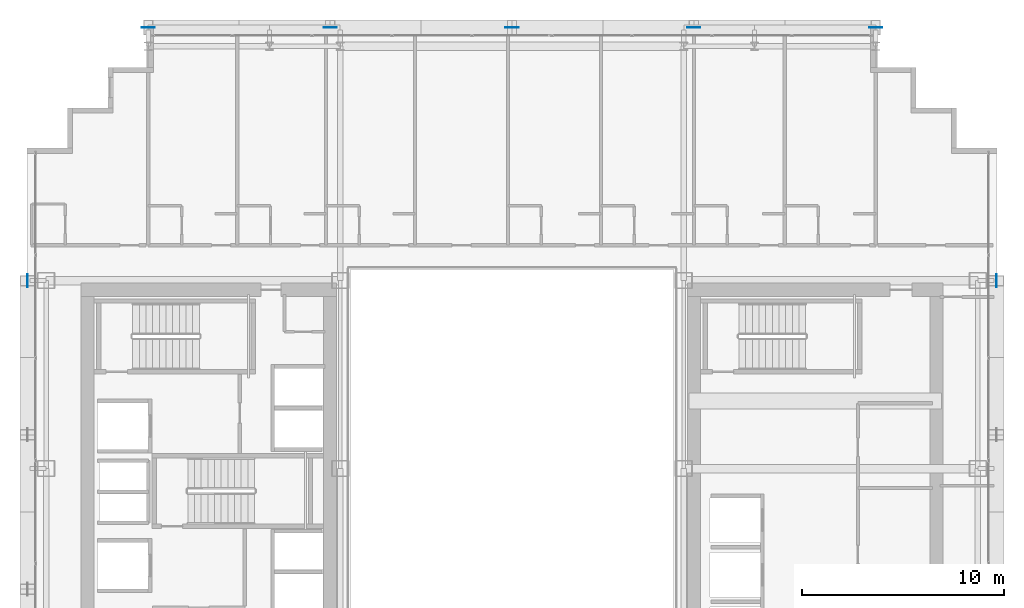
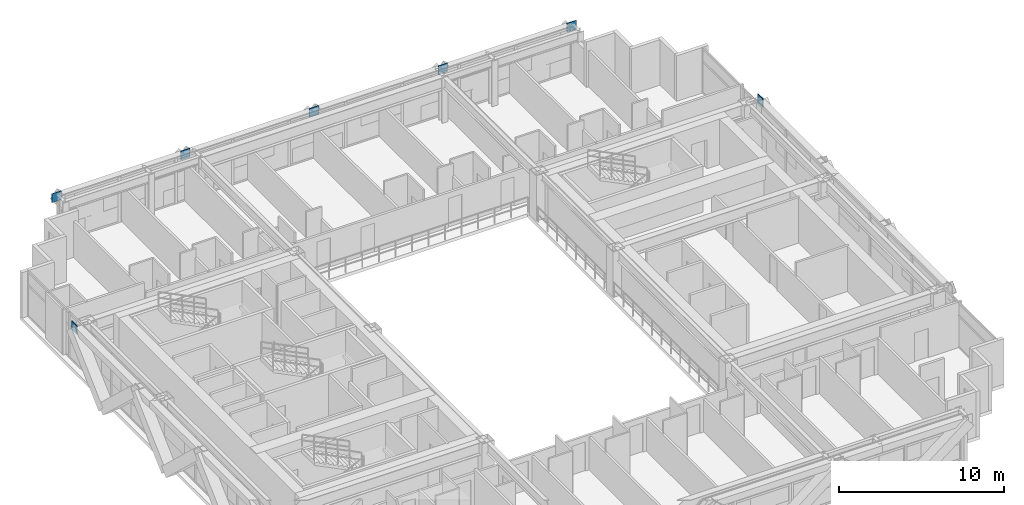
# One storey, part 26 of 36: 7 plates.
"""IFC4 building model written with IfcOpenShell, lengths in metres."""

from ifc_helpers import new_model, si_unit, direction, frame, origin, origin_2d, place, context, subcontext, project, spatial, rectangle, extrude, source, transform, mapped, material, layer, layer_set, type_object, element, save


model = new_model("IFC4")

# Units and contexts
model_context = context("Model", 3, precision=1e-05, world=origin(), true_north=direction((0.0, 1.0)))
body_context = subcontext(model_context, "Body", "Model", "MODEL_VIEW")
ifc_project = project(units=[si_unit("LENGTHUNIT", "METRE"), si_unit("AREAUNIT", "SQUARE_METRE"), si_unit("VOLUMEUNIT", "CUBIC_METRE"), si_unit("PLANEANGLEUNIT", "RADIAN"), si_unit("MASSUNIT", "GRAM", prefix="KILO")], contexts=[model_context])

# Site, building, storey
site_placement = place(None, origin())
site = spatial("IfcSite", under=ifc_project, at=site_placement, CompositionType="ELEMENT")
building_placement = place(site_placement, origin())
building = spatial("IfcBuilding", under=site, at=building_placement, Name="Ocotamira Hotel", CompositionType="ELEMENT")
storey_placement = place(building_placement, frame((0.0, 0.0, 136.800048828125)))
storey = spatial("IfcBuildingStorey", under=building, at=storey_placement, Name="L34", CompositionType="ELEMENT", Elevation=136.800048828125)

# Plates
ifc_material = material(Name="Pale-metal coated steel ASTM A572 Grade 50", Category="steel")
ifc_layer = layer(ifc_material, 0.0400390625)
ifc_layer_set = layer_set([ifc_layer], Name="Pale-metal coated steel ASTM A572 Grade 50")
plate_type = type_object("IfcPlateType", Name="PLT-GUSSET-40", PredefinedType="SHEET", material=ifc_layer_set)
shared_shape_1 = source(origin(), body_context, "Body", "SweptSolid", [
    extrude(rectangle(XDim=0.64990234375, YDim=0.0400390625, at=origin_2d()), origin(), (0.0, 0.0, 1.0), 0.64990234375),
])
for number, where, z_axis, x_axis, name in (
    (1, (14.0, 49.969970703125, 2.784912109375), (0.0, 0.0, 1.0), (-1.0, 0.0, 0.0), "L34 Exoskeleton Diagrid N0.1 End Gusset B"),
    (2, (23.0, 49.969970703125, 2.784912109375), (0.0, 0.0, 1.0), (1.0, 0.0, 0.0), "L34 Exoskeleton Diagrid N0.2 End Gusset B"),
    (3, (32.0, 49.969970703125, 2.784912109375), (0.0, 0.0, 1.0), (1.0, 0.0, 0.0), "L34 Exoskeleton Diagrid N1.2 End Gusset B"),
    (4, (41.0, 49.969970703125, 2.784912109375), (0.0, 0.0, 1.0), (1.0, 0.0, 0.0), "L34 Exoskeleton Diagrid N2.2 End Gusset B"),
    (5, (50.0, 49.969970703125, 2.784912109375), (0.0, 0.0, 1.0), (1.0, 0.0, 0.0), "L34 Exoskeleton Diagrid N3.2 End Gusset B"),
):
    element("IfcPlate", number, at=place(storey_placement, frame(where, z_axis=z_axis, x_axis=x_axis)), inside=storey, type_object=plate_type, Name=name, PredefinedType="SHEET", context=body_context, shape_type="MappedRepresentation", body=[
        mapped(shared_shape_1, transform((0.0, 0.0, 0.0), scale=1.0)),
    ])
shared_shape_2 = source(origin(), body_context, "Body", "SweptSolid", [
    extrude(rectangle(XDim=0.0400390625, YDim=0.64990234375, at=origin_2d()), origin(), (0.0, 0.0, 1.0), 0.64990234375),
])
for number, where, z_axis, x_axis, name in (
    (6, (8.030029296875, 37.449951171875, 2.784912109375), (0.0, 0.0, 1.0), (1.0, 0.0, 0.0), "L34 Exoskeleton Diagrid W2.2 End Gusset B"),
    (7, (55.969970703125, 37.449951171875, 2.784912109375), (0.0, 0.0, 1.0), (1.0, 0.0, 0.0), "L34 Exoskeleton Diagrid E2.2 End Gusset B"),
):
    element("IfcPlate", number, at=place(storey_placement, frame(where, z_axis=z_axis, x_axis=x_axis)), inside=storey, type_object=plate_type, Name=name, PredefinedType="SHEET", context=body_context, shape_type="MappedRepresentation", body=[
        mapped(shared_shape_2, transform((0.0, 0.0, 0.0), scale=1.0)),
    ])

save(model, "model.ifc")
